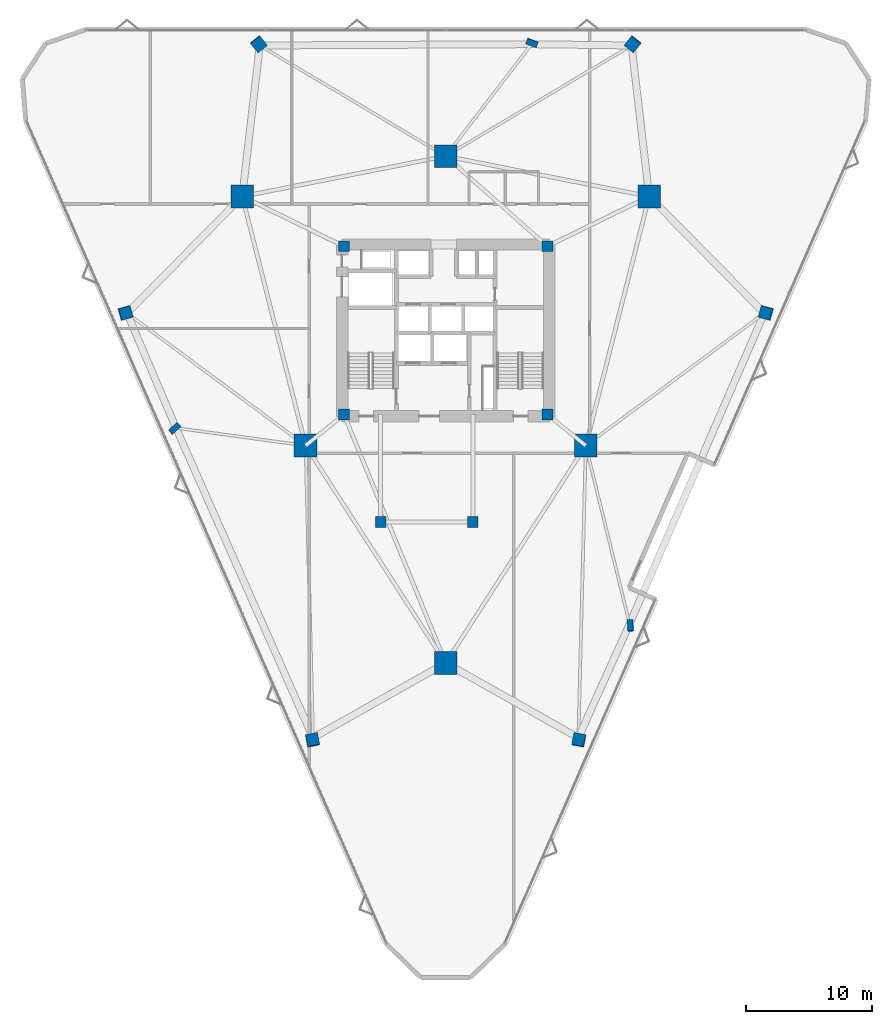
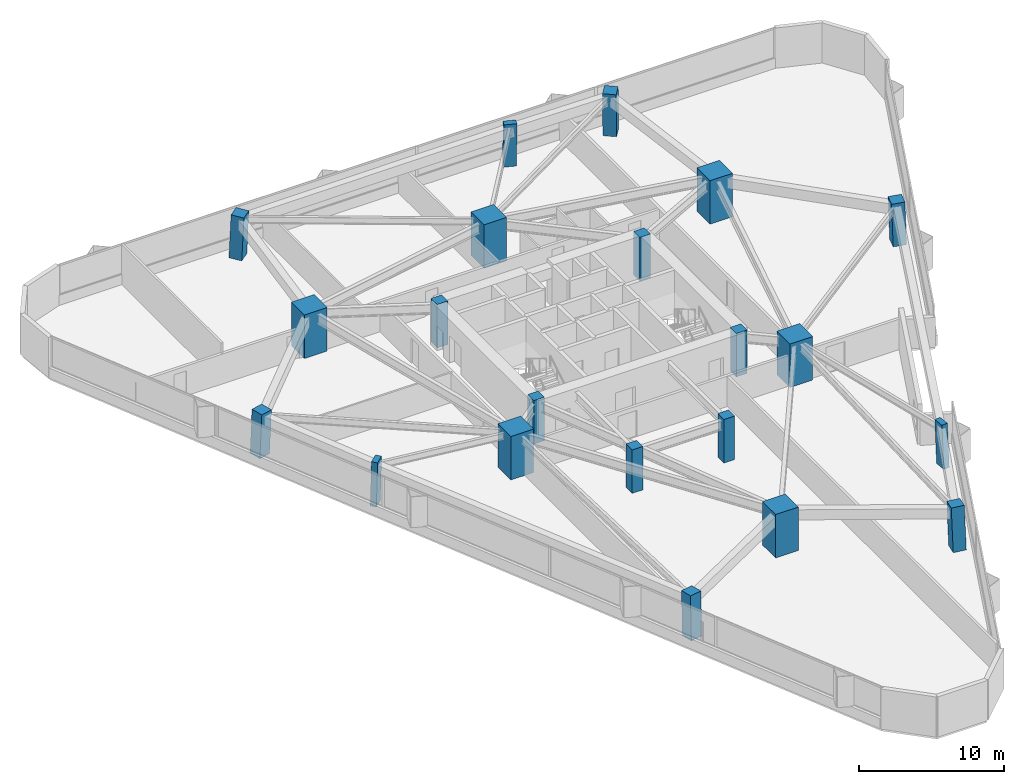
# One storey, part 1 of 14: 21 columns.
"""IFC4 building model written with IfcOpenShell, lengths in metres."""

import ifcopenshell
import ifcopenshell.guid

model = None  # the IFC model being written
_history = None  # IfcOwnerHistory: only IFC2X3 demands one
_inside = {}  # id of a spatial element -> (the spatial element, [elements in it])
_under = {}  # id of a project, library or spatial element -> (it, [spatial elements below it])
_declared = {}  # id of a project -> (the project, [libraries it declares])
_typed = {}  # id of a type object -> (the type object, [elements of that type])
_made_of = {}  # id of a material, layer set ... -> (it, [elements and type objects made of it])


def new_model(schema):
    """Start an empty IFC model of exactly this schema.

    Asked for "IFC4X3", IfcOpenShell would pick the latest addendum, in which some entities
    have other attributes; the version numbers below select the first issue.
    IFC2X3 requires an IfcOwnerHistory on every rooted entity: one is made here for all.
    """
    global model, _history
    if schema == "IFC4X3":
        model = ifcopenshell.file(schema_version=(4, 3, 0, 0))
    else:
        model = ifcopenshell.file(schema=schema)
    _inside.clear()
    _under.clear()
    _declared.clear()
    _typed.clear()
    _made_of.clear()
    _history = None
    if model.schema == "IFC2X3":
        org = make("IfcOrganization", Name="unknown")
        user = make(
            "IfcPersonAndOrganization",
            ThePerson=make("IfcPerson", FamilyName="unknown"),
            TheOrganization=org,
        )
        app = make(
            "IfcApplication",
            ApplicationDeveloper=org,
            Version="unknown",
            ApplicationFullName="unknown",
            ApplicationIdentifier="unknown",
        )
        _history = make(
            "IfcOwnerHistory",
            OwningUser=user,
            OwningApplication=app,
            ChangeAction="ADDED",
            CreationDate=0,
        )
    return model


def make(cls, **values):
    """One entity of the class cls with the attributes given. An attribute that is None is left unset."""
    return model.create_entity(
        cls, **{name: value for name, value in values.items() if value is not None}
    )


def rooted(cls, **values):
    """An entity with a GlobalId (a new one), such as an element, a storey or a relation."""
    return make(cls, GlobalId=ifcopenshell.guid.new(), OwnerHistory=_history, **values)


def si_unit(unit_type, name, prefix=None):
    """IfcSIUnit, for example si_unit("LENGTHUNIT", "METRE", prefix="MILLI")."""
    return make("IfcSIUnit", UnitType=unit_type, Prefix=prefix, Name=name)


def assignment(units):
    """IfcUnitAssignment: the units of a project."""
    return None if units is None else make("IfcUnitAssignment", Units=units)


def point(xyz):
    """IfcCartesianPoint."""
    return None if xyz is None else make("IfcCartesianPoint", Coordinates=xyz)


def direction(xyz):
    """IfcDirection."""
    return None if xyz is None else make("IfcDirection", DirectionRatios=xyz)


def frame(location, z_axis=None, x_axis=None):
    """IfcAxis2Placement3D, a coordinate frame: its origin and axes. An axis left out is left unset."""
    return make(
        "IfcAxis2Placement3D",
        Location=point(location),
        Axis=direction(z_axis),
        RefDirection=direction(x_axis),
    )


def frame_2d(location, x_axis=None):
    """IfcAxis2Placement2D, a coordinate frame in the plane: its origin and x axis."""
    return make(
        "IfcAxis2Placement2D", Location=point(location), RefDirection=direction(x_axis)
    )


def origin():
    """The frame at (0, 0, 0) with its axes left unset."""
    return frame((0.0, 0.0, 0.0))


def origin_2d():
    """The frame at (0, 0) in the plane with its x axis left unset."""
    return frame_2d((0.0, 0.0))


def place(relative_to, where):
    """IfcLocalPlacement: puts the frame where relative to a parent placement (None: the world)."""
    return make(
        "IfcLocalPlacement", PlacementRelTo=relative_to, RelativePlacement=where
    )


def context(
    kind, dimensions, precision=None, world=None, true_north=None, identifier=None
):
    """IfcGeometricRepresentationContext, for example the 3D "Model" context."""
    return make(
        "IfcGeometricRepresentationContext",
        ContextIdentifier=identifier,
        ContextType=kind,
        CoordinateSpaceDimension=dimensions,
        Precision=precision,
        WorldCoordinateSystem=world,
        TrueNorth=true_north,
    )


def subcontext(parent, identifier, kind, view, scale=None):
    """IfcGeometricRepresentationSubContext, for example "Body" below "Model"."""
    return make(
        "IfcGeometricRepresentationSubContext",
        ContextIdentifier=identifier,
        ContextType=kind,
        ParentContext=parent,
        TargetScale=scale,
        TargetView=view,
    )


def project(units=None, contexts=None):
    """IfcProject with its units and contexts."""
    return rooted(
        "IfcProject",
        Name="project",
        RepresentationContexts=contexts,
        UnitsInContext=assignment(units),
    )


def spatial(cls, under=None, at=None, **own):
    """A site, building, storey or space (cls), placed at a placement, below another one or the project."""
    s = rooted(cls, ObjectPlacement=at, **own)
    if under is not None:
        _under.setdefault(under.id(), (under, []))[1].append(s)
    return s


def profile(cls, at=None, kind="AREA", **sizes):
    """A parametric profile (cls). Its sizes go by their IFC names, for example OverallWidth=200.0."""
    return make(cls, ProfileType=kind, Position=at, **sizes)


def rectangle(**sizes):
    """IfcRectangleProfileDef."""
    return profile("IfcRectangleProfileDef", **sizes)


def extrude(swept, where, along, depth):
    """IfcExtrudedAreaSolid: the profile swept, set in the frame where, extruded along a direction by depth."""
    return make(
        "IfcExtrudedAreaSolid",
        SweptArea=swept,
        Position=where,
        ExtrudedDirection=direction(along),
        Depth=depth,
    )


def shape(context_of_items, identifier, shape_type, items):
    """IfcShapeRepresentation: the items that make up one representation, for example the "Body"."""
    return make(
        "IfcShapeRepresentation",
        ContextOfItems=context_of_items,
        RepresentationIdentifier=identifier,
        RepresentationType=shape_type,
        Items=items,
    )


def material(Name=None, Category=None):
    """IfcMaterial."""
    return make("IfcMaterial", Name=Name, Category=Category)


def material_profile(
    of_material, cross_section, Name=None, Category=None, Priority=None
):
    """IfcMaterialProfile: a cross section and its material."""
    return make(
        "IfcMaterialProfile",
        Name=Name,
        Material=of_material,
        Profile=cross_section,
        Priority=Priority,
        Category=Category,
    )


def profile_set(profiles, Name=None, composite=None):
    """IfcMaterialProfileSet."""
    return make(
        "IfcMaterialProfileSet",
        Name=Name,
        MaterialProfiles=profiles,
        CompositeProfile=composite,
    )


def made_of(thing, what):
    """Note that an element or type object is made of a material, layer set ...; save() writes the relation."""
    if what is not None:
        _made_of.setdefault(what.id(), (what, []))[1].append(thing)
    return thing


def type_object(cls, material=None, **own):
    """A type object (cls), such as IfcWallType, which elements share."""
    return made_of(rooted(cls, **own), material)


def element(
    cls,
    number,
    at=None,
    inside=None,
    cuts=None,
    type_object=None,
    material=None,
    context=None,
    identifier="Body",
    shape_type=None,
    held_by="IfcProductDefinitionShape",
    body=None,
    shapes=None,
    **own,
):
    """One element of the class cls, such as IfcWall. Its Tag is "e" and its number.

    at: its placement. inside: the storey or other place that contains it. cuts: it is an
    opening in that element (IfcRelVoidsElement). A single representation is given by context,
    identifier, shape_type and body (its items); several are given by shapes. held_by: the class
    of the entity that holds the representations. save() writes the other relations.
    """
    e = rooted(cls, Tag="e%d" % number, ObjectPlacement=at, **own)
    if body is not None:
        shapes = [shape(context, identifier, shape_type, body)]
    if shapes is not None:
        e.Representation = make(held_by, Representations=shapes)
    if inside is not None:
        _inside.setdefault(inside.id(), (inside, []))[1].append(e)
    if cuts is not None:
        rooted(
            "IfcRelVoidsElement", RelatingBuildingElement=cuts, RelatedOpeningElement=e
        )
    if type_object is not None:
        _typed.setdefault(type_object.id(), (type_object, []))[1].append(e)
    return made_of(e, material)


def aggregate(whole, parts):
    """IfcRelAggregates: a whole, such as a stair, and the parts it consists of."""
    return rooted("IfcRelAggregates", RelatingObject=whole, RelatedObjects=parts)


def save(model, path):
    """Write the relations noted so far, then the file.

    IfcRelAggregates (storeys below a building ...), IfcRelContainedInSpatialStructure (elements
    in a storey), IfcRelDefinesByType, IfcRelAssociatesMaterial and IfcRelDeclares: one each for
    every whole, place, type object, material and project.
    """
    for whole, parts in _under.values():
        aggregate(whole, parts)
    for where, things in _inside.values():
        rooted(
            "IfcRelContainedInSpatialStructure",
            RelatedElements=things,
            RelatingStructure=where,
        )
    for kind, things in _typed.values():
        rooted("IfcRelDefinesByType", RelatedObjects=things, RelatingType=kind)
    for what, things in _made_of.values():
        rooted("IfcRelAssociatesMaterial", RelatedObjects=things, RelatingMaterial=what)
    for by, libraries in _declared.values():
        rooted("IfcRelDeclares", RelatingContext=by, RelatedDefinitions=libraries)
    model.write(path)


model = new_model("IFC4")

# Units and contexts
model_context = context("Model", 3, precision=1e-05, world=origin(), true_north=direction((0.0, 1.0)))
body_context = subcontext(model_context, "Body", "Model", "MODEL_VIEW")
ifc_project = project(units=[si_unit("LENGTHUNIT", "METRE"), si_unit("AREAUNIT", "SQUARE_METRE"), si_unit("VOLUMEUNIT", "CUBIC_METRE"), si_unit("PLANEANGLEUNIT", "RADIAN"), si_unit("MASSUNIT", "GRAM", prefix="KILO")], contexts=[model_context])

# Site, building, storey
site_placement = place(None, origin())
site = spatial("IfcSite", under=ifc_project, at=site_placement, CompositionType="ELEMENT")
building_placement = place(site_placement, origin())
building = spatial("IfcBuilding", under=site, at=building_placement, Name="Talyreon Biosciences Tower", CompositionType="ELEMENT")
storey_placement = place(building_placement, frame((0.0, 0.0, 48.35009765625)))
storey = spatial("IfcBuildingStorey", under=building, at=storey_placement, Name="L12", CompositionType="ELEMENT", Elevation=48.35009765625)

# Columns
ifc_material_1 = material(Name="Precast concrete C45/55", Category="concrete")
ifc_material_profile_1 = material_profile(ifc_material_1, rectangle(XDim=0.89990234375, YDim=0.449951171875, at=origin_2d()), Name="RC 900x450")
ifc_profile_set_1 = profile_set([ifc_material_profile_1], Name="Precast concrete C45/55")
column_type_1 = type_object("IfcColumnType", Name="FacadePilaster_900x450", PredefinedType="PILASTER", material=ifc_profile_set_1)
column_1_placement = place(storey_placement, frame((80.624267578125, 44.62841796875, 0.0029296875), z_axis=(-0.019612054336, 0.038220078587, 0.999076870375), x_axis=(0.060957586478, -0.997364355576, 0.039351173782)))
element("IfcColumn", 1, at=column_1_placement, inside=storey, type_object=column_type_1, Name="L12 Facade Pilaster PL-SE", PredefinedType="PILASTER", context=body_context, shape_type="SweptSolid", body=[
    extrude(rectangle(XDim=0.89990234375, YDim=0.449951171875, at=origin_2d()), origin(), (0.0, 0.0, 1.0), 3.6474609375),
])
column_2_placement = place(storey_placement, frame((72.83544921875, 90.770751953125, 0.0029296875), z_axis=(-0.01238655289, -0.033544124313, 0.999360478022), x_axis=(-0.9380871136, 0.346399433166, 0.0)))
element("IfcColumn", 2, at=column_2_placement, inside=storey, type_object=column_type_1, Name="L12 Facade Pilaster PL-N", PredefinedType="PILASTER", context=body_context, shape_type="SweptSolid", body=[
    extrude(rectangle(XDim=0.89990234375, YDim=0.449951171875, at=origin_2d()), origin(), (0.0, 0.0, 1.0), 3.646484375),
])
column_3_placement = place(storey_placement, frame((44.540283203125, 60.239013671875, 0.0029296875), z_axis=(0.032006476949, 0.010512587617, 0.999432374368), x_axis=(0.744634491475, 0.666758677741, -0.030860002635)))
element("IfcColumn", 3, at=column_3_placement, inside=storey, type_object=column_type_1, Name="L12 Facade Pilaster PL-SW", PredefinedType="PILASTER", context=body_context, shape_type="SweptSolid", body=[
    extrude(rectangle(XDim=0.89990234375, YDim=0.449951171875, at=origin_2d()), origin(), (0.0, 0.0, 1.0), 3.64599609375),
])
ifc_material_2 = material(Name="Concrete C60/75", Category="concrete")
ifc_material_profile_2 = material_profile(ifc_material_2, rectangle(XDim=1.800048828125, YDim=1.800048828125, at=origin_2d()), Name="RC 1800x1800")
ifc_profile_set_2 = profile_set([ifc_material_profile_2], Name="Concrete C60/75")
column_type_2 = type_object("IfcColumnType", Name="MegaColumn_1800", PredefinedType="COLUMN", material=ifc_profile_set_2)
for number, where, z_axis, x_axis, name in (
    (4, (66.0, 41.6669921875, 0.0), (0.0, 0.0, 1.0), (1.0, 0.0, 0.0), "L12 Composite Mega-Column MC1"),
    (5, (82.102294921875, 78.5986328125, 0.0), (0.0, 0.0, 1.0), (1.0, 0.0, 0.0), "L12 Composite Mega-Column MC2"),
    (6, (49.897705078125, 78.5986328125, 0.0), (0.0, 0.0, 1.0), (1.0, 0.0, 0.0), "L12 Composite Mega-Column MC3"),
    (7, (77.086181640625, 58.88037109375, 0.0), (0.0, 0.0, 1.0), (1.0, 0.0, 0.0), "L12 Composite Mega-Column MC4"),
    (8, (66.0, 81.788818359375, 0.0), (0.0, 0.0, 1.0), (1.0, 0.0, 0.0), "L12 Composite Mega-Column MC5"),
    (9, (54.913818359375, 58.88037109375, 0.0), (0.0, 0.0, 1.0), (1.0, 0.0, 0.0), "L12 Composite Mega-Column MC6"),
):
    element("IfcColumn", number, at=place(storey_placement, frame(where, z_axis=z_axis, x_axis=x_axis)), inside=storey, type_object=column_type_2, Name=name, PredefinedType="COLUMN", context=body_context, shape_type="SweptSolid", body=[
        extrude(rectangle(XDim=1.800048828125, YDim=1.800048828125, at=origin_2d()), origin(), (0.0, 0.0, 1.0), 3.64990234375),
    ])
ifc_material_profile_3 = material_profile(ifc_material_2, rectangle(XDim=0.85009765625, YDim=0.85009765625, at=origin_2d()), Name="RC 850x850")
ifc_profile_set_3 = profile_set([ifc_material_profile_3], Name="Concrete C60/75")
column_type_3 = type_object("IfcColumnType", Name="PerimeterColumn_850", PredefinedType="COLUMN", material=ifc_profile_set_3)
for number, where, z_axis, x_axis, name in (
    (10, (57.949951171875, 61.35009765625, 0.0), (0.0, 0.0, 1.0), (1.0, 0.0, 0.0), "L12 Core Column CC1"),
    (11, (74.050048828125, 61.35009765625, 0.0), (0.0, 0.0, 1.0), (1.0, 0.0, 0.0), "L12 Core Column CC2"),
    (12, (74.050048828125, 74.64990234375, 0.0), (0.0, 0.0, 1.0), (1.0, 0.0, 0.0), "L12 Core Column CC3"),
    (13, (57.949951171875, 74.64990234375, 0.0), (0.0, 0.0, 1.0), (1.0, 0.0, 0.0), "L12 Core Column CC4"),
    (14, (60.85009765625, 52.840087890625, 0.0), (0.0, 0.0, 1.0), (1.0, 0.0, 0.0), "L12 Core Column CSW"),
    (15, (68.14990234375, 52.840087890625, 0.0), (0.0, 0.0, 1.0), (1.0, 0.0, 0.0), "L12 Core Column CSE"),
):
    element("IfcColumn", number, at=place(storey_placement, frame(where, z_axis=z_axis, x_axis=x_axis)), inside=storey, type_object=column_type_3, Name=name, PredefinedType="COLUMN", context=body_context, shape_type="SweptSolid", body=[
        extrude(rectangle(XDim=0.85009765625, YDim=0.85009765625, at=origin_2d()), origin(), (0.0, 0.0, 1.0), 3.64990234375),
    ])
ifc_material_profile_4 = material_profile(ifc_material_2, rectangle(XDim=0.949951171875, YDim=0.949951171875, at=origin_2d()), Name="RC 950x950")
ifc_profile_set_4 = profile_set([ifc_material_profile_4], Name="Concrete C60/75")
column_type_4 = type_object("IfcColumnType", Name="PerimeterColumn_950", PredefinedType="COLUMN", material=ifc_profile_set_4)
column_4_placement = place(storey_placement, frame((76.54541015625, 35.56201171875, 0.0029296875), z_axis=(-0.012375141264, 0.054450621561, 0.998439775695), x_axis=(-0.188430644234, -0.980753541623, 0.051150590493)))
element("IfcColumn", 16, at=column_4_placement, inside=storey, type_object=column_type_4, Name="L12 Tapering Perimeter Column PC-SE1", PredefinedType="COLUMN", context=body_context, shape_type="SweptSolid", body=[
    extrude(rectangle(XDim=0.949951171875, YDim=0.949951171875, at=origin_2d()), origin(), (0.0, 0.0, 1.0), 3.649658203125),
])
column_5_placement = place(storey_placement, frame((91.35546875, 69.385498046875, 0.0029296875), z_axis=(-0.039296319589, -0.005757212069, 0.99921101564), x_axis=(0.963786905557, -0.264180280442, 0.036381040429)))
element("IfcColumn", 17, at=column_5_placement, inside=storey, type_object=column_type_4, Name="L12 Tapering Perimeter Column PC-SE2", PredefinedType="COLUMN", context=body_context, shape_type="SweptSolid", body=[
    extrude(rectangle(XDim=0.949951171875, YDim=0.949951171875, at=origin_2d()), origin(), (0.0, 0.0, 1.0), 3.64697265625),
])
for number, where, z_axis, x_axis, name in (
    (18, (80.81005859375, 90.670654296875, 0.0029296875), (-0.026907963191, -0.033534551141, 0.999075270136), (-0.779956681152, 0.625833504637, 0.0), "L12 Tapering Perimeter Column PC-N1"),
    (19, (51.18994140625, 90.670654296875, 0.0029296875), (0.026907963191, -0.033534551141, 0.999075270136), (-0.779956681152, -0.625833504637, 0.0), "L12 Tapering Perimeter Column PC-N2"),
):
    element("IfcColumn", number, at=place(storey_placement, frame(where, z_axis=z_axis, x_axis=x_axis)), inside=storey, type_object=column_type_4, Name=name, PredefinedType="COLUMN", context=body_context, shape_type="SweptSolid", body=[
        extrude(rectangle(XDim=0.949951171875, YDim=0.949951171875, at=origin_2d()), origin(), (0.0, 0.0, 1.0), 3.6474609375),
    ])
column_6_placement = place(storey_placement, frame((40.64453125, 69.385498046875, 0.0029296875), z_axis=(0.039296319589, -0.005757212069, 0.99921101564), x_axis=(0.963786905557, 0.264180280442, -0.036381040429)))
element("IfcColumn", 20, at=column_6_placement, inside=storey, type_object=column_type_4, Name="L12 Tapering Perimeter Column PC-SW1", PredefinedType="COLUMN", context=body_context, shape_type="SweptSolid", body=[
    extrude(rectangle(XDim=0.949951171875, YDim=0.949951171875, at=origin_2d()), origin(), (0.0, 0.0, 1.0), 3.64697265625),
])
column_7_placement = place(storey_placement, frame((55.45458984375, 35.56201171875, 0.0029296875), z_axis=(0.012375141264, 0.054450621561, 0.998439775695), x_axis=(-0.188430644234, 0.980753541623, -0.051150590493)))
element("IfcColumn", 21, at=column_7_placement, inside=storey, type_object=column_type_4, Name="L12 Tapering Perimeter Column PC-SW2", PredefinedType="COLUMN", context=body_context, shape_type="SweptSolid", body=[
    extrude(rectangle(XDim=0.949951171875, YDim=0.949951171875, at=origin_2d()), origin(), (0.0, 0.0, 1.0), 3.649658203125),
])

save(model, "model.ifc")
